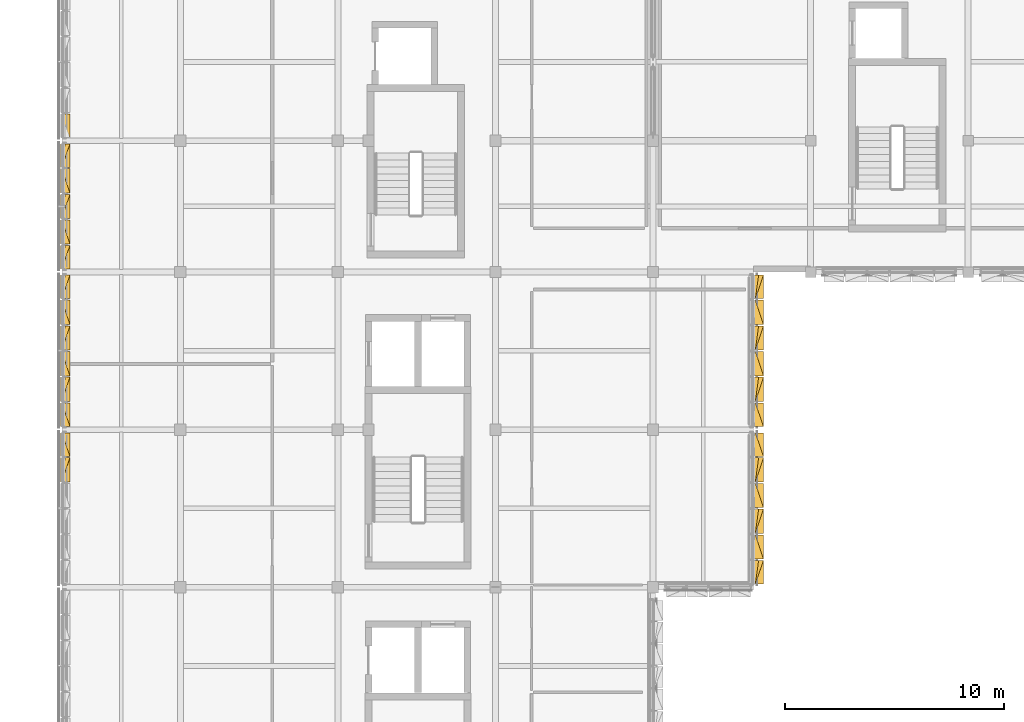
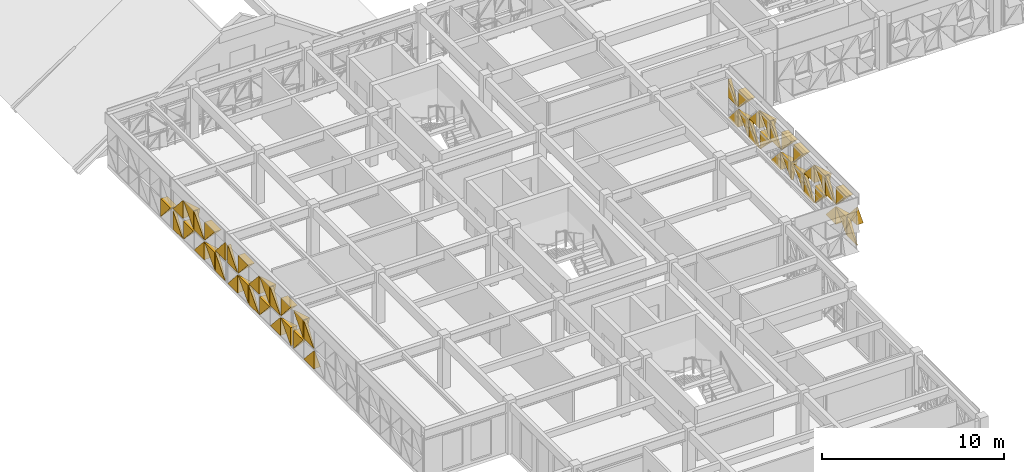
# One storey, part 44 of 48: 51 coverings.
"""IFC4 building model written with IfcOpenShell, lengths in metres."""

from ifc_helpers import new_model, si_unit, direction, frame, origin, place, context, subcontext, project, spatial, polygons, material, layer, layer_set, type_object, element, save


model = new_model("IFC4")

# Units and contexts
model_context = context("Model", 3, precision=1e-05, world=origin(), true_north=direction((0.0, 1.0)))
body_context = subcontext(model_context, "Body", "Model", "MODEL_VIEW")
ifc_project = project(units=[si_unit("LENGTHUNIT", "METRE"), si_unit("AREAUNIT", "SQUARE_METRE"), si_unit("VOLUMEUNIT", "CUBIC_METRE"), si_unit("PLANEANGLEUNIT", "RADIAN"), si_unit("MASSUNIT", "GRAM", prefix="KILO")], contexts=[model_context])

# Site, building, storey
site_placement = place(None, origin())
site = spatial("IfcSite", under=ifc_project, at=site_placement, CompositionType="ELEMENT")
building_placement = place(site_placement, origin())
building = spatial("IfcBuilding", under=site, at=building_placement, Name="Alvorim Cloister Faculty of Sciences", CompositionType="ELEMENT")
storey_placement = place(building_placement, frame((0.0, 0.0, 19.35009765625)))
storey = spatial("IfcBuildingStorey", under=building, at=storey_placement, Name="L05", CompositionType="ELEMENT", Elevation=19.35009765625)

# Coverings
ifc_material = material(Name="Perforated Bronze Alloy Sheet", Category="metal")
ifc_layer = layer(ifc_material, 0.0380859375)
ifc_layer_set = layer_set([ifc_layer], Name="Perforated Bronze Alloy Sheet")
covering_type = type_object("IfcCoveringType", Name="COV-TRI-BRZ", PredefinedType="CLADDING", material=ifc_layer_set)
covering_1_placement = place(storey_placement, frame((1.7548828125, 33.605712890625, 0.139892578125), z_axis=(0.0, 0.0, 1.0), x_axis=(0.0, 1.0, 0.0)))
element("IfcCovering", 1, at=covering_1_placement, inside=storey, type_object=covering_type, Name="Diagonal Solid Metal Triangle TRI-BL", PredefinedType="CLADDING", context=body_context, shape_type="Tessellation", body=[
    polygons([(0.0, 0.0260009765625, 0.0), (1.1063984375, 0.0260009765625, 0.0), (0.0, 0.0260009765625, 1.216505859375), (0.0, -0.4, 0.0), (1.1063984375, -0.4, 0.0), (0.0, -0.03, 1.216505859375)], [[[1, 3, 2]], [[4, 5, 6]], [[1, 2, 5, 4]], [[2, 3, 6, 5]], [[3, 1, 4, 6]]], closed=True),
])
covering_2_placement = place(storey_placement, frame((1.7548828125, 33.605712890625, 1.498291015625), z_axis=(0.0, 0.0, 1.0), x_axis=(0.0, 1.0, 0.0)))
element("IfcCovering", 2, at=covering_2_placement, inside=storey, type_object=covering_type, Name="Diagonal Solid Metal Triangle TRI-BR", PredefinedType="CLADDING", context=body_context, shape_type="Tessellation", body=[
    polygons([(0.002, 0.0260009765625, 0.0), (1.1083984375, 0.0260009765625, 0.0), (1.1083984375, 0.0260009765625, 1.216505859375), (0.002, -0.03, 0.0), (1.1083984375, -0.4, 0.0), (1.1083984375, -0.18000000000000002, 1.216505859375)], [[[1, 3, 2]], [[4, 5, 6]], [[1, 2, 5, 4]], [[2, 3, 6, 5]], [[3, 1, 4, 6]]], closed=True),
])
covering_3_placement = place(storey_placement, frame((1.7548828125, 34.779052734375, 0.139892578125), z_axis=(0.0, 0.0, 1.0), x_axis=(0.0, 1.0, 0.0)))
element("IfcCovering", 3, at=covering_3_placement, inside=storey, type_object=covering_type, Name="Diagonal Solid Metal Triangle TRI-TR", PredefinedType="CLADDING", context=body_context, shape_type="Tessellation", body=[
    polygons([(1.075927734375, 0.0260009765625, 0.002), (1.075927734375, 0.0260009765625, 1.218505859375), (0.002, 0.0260009765625, 1.218505859375), (1.075927734375, -0.03, 0.002), (1.075927734375, -0.4, 1.218505859375), (0.002, -0.4, 1.218505859375)], [[[1, 3, 2]], [[4, 5, 6]], [[1, 2, 5, 4]], [[2, 3, 6, 5]], [[3, 1, 4, 6]]], closed=True),
])
for number, where, z_axis, x_axis, name in (
    (4, (1.7548828125, 34.779052734375, 1.498291015625), (0.0, 0.0, 1.0), (0.0, 1.0, 0.0), "Diagonal Solid Metal Triangle TRI-TL"),
    (5, (1.7548828125, 36.14501953125, 0.139892578125), (0.0, 0.0, 1.0), (0.0, 1.0, 0.0), "Diagonal Solid Metal Triangle TRI-TL"),
):
    element("IfcCovering", number, at=place(storey_placement, frame(where, z_axis=z_axis, x_axis=x_axis)), inside=storey, type_object=covering_type, Name=name, PredefinedType="CLADDING", context=body_context, shape_type="Tessellation", body=[
        polygons([(1.073927734375, 0.0260009765625, 1.218505859375), (0.0, 0.0260009765625, 1.218505859375), (0.0, 0.0260009765625, 0.002), (1.073927734375, -0.03, 1.218505859375), (0.0, -0.4, 1.218505859375), (0.0, -0.13999999999999999, 0.002)], [[[1, 3, 2]], [[4, 5, 6]], [[1, 2, 5, 4]], [[2, 3, 6, 5]], [[3, 1, 4, 6]]], closed=True),
    ])
covering_4_placement = place(storey_placement, frame((1.7548828125, 36.14501953125, 1.498291015625), z_axis=(0.0, 0.0, 1.0), x_axis=(0.0, 1.0, 0.0)))
element("IfcCovering", 6, at=covering_4_placement, inside=storey, type_object=covering_type, Name="Diagonal Solid Metal Triangle TRI-TR", PredefinedType="CLADDING", context=body_context, shape_type="Tessellation", body=[
    polygons([(1.075927734375, 0.0260009765625, 0.002), (1.075927734375, 0.0260009765625, 1.218505859375), (0.002, 0.0260009765625, 1.218505859375), (1.075927734375, -0.03, 0.002), (1.075927734375, -0.4, 1.218505859375), (0.002, -0.4, 1.218505859375)], [[[1, 3, 2]], [[4, 5, 6]], [[1, 2, 5, 4]], [[2, 3, 6, 5]], [[3, 1, 4, 6]]], closed=True),
])
covering_5_placement = place(storey_placement, frame((1.7548828125, 37.285888671875, 0.139892578125), z_axis=(0.0, 0.0, 1.0), x_axis=(0.0, 1.0, 0.0)))
element("IfcCovering", 7, at=covering_5_placement, inside=storey, type_object=covering_type, Name="Diagonal Solid Metal Triangle TRI-BL", PredefinedType="CLADDING", context=body_context, shape_type="Tessellation", body=[
    polygons([(0.0, 0.0260009765625, 0.0), (1.1063984375, 0.0260009765625, 0.0), (0.0, 0.0260009765625, 1.216505859375), (0.0, -0.4, 0.0), (1.1063984375, -0.4, 0.0), (0.0, -0.03, 1.216505859375)], [[[1, 3, 2]], [[4, 5, 6]], [[1, 2, 5, 4]], [[2, 3, 6, 5]], [[3, 1, 4, 6]]], closed=True),
])
covering_6_placement = place(storey_placement, frame((1.7548828125, 37.285888671875, 1.498291015625), z_axis=(0.0, 0.0, 1.0), x_axis=(0.0, 1.0, 0.0)))
element("IfcCovering", 8, at=covering_6_placement, inside=storey, type_object=covering_type, Name="Diagonal Solid Metal Triangle TRI-BR", PredefinedType="CLADDING", context=body_context, shape_type="Tessellation", body=[
    polygons([(0.002, 0.0260009765625, 0.0), (1.1083984375, 0.0260009765625, 0.0), (1.1083984375, 0.0260009765625, 1.216505859375), (0.002, -0.03, 0.0), (1.1083984375, -0.4, 0.0), (1.1083984375, -0.18000000000000002, 1.216505859375)], [[[1, 3, 2]], [[4, 5, 6]], [[1, 2, 5, 4]], [[2, 3, 6, 5]], [[3, 1, 4, 6]]], closed=True),
])
covering_7_placement = place(storey_placement, frame((1.7548828125, 38.459228515625, 0.139892578125), z_axis=(0.0, 0.0, 1.0), x_axis=(0.0, 1.0, 0.0)))
element("IfcCovering", 9, at=covering_7_placement, inside=storey, type_object=covering_type, Name="Diagonal Solid Metal Triangle TRI-TR", PredefinedType="CLADDING", context=body_context, shape_type="Tessellation", body=[
    polygons([(1.1083984375, 0.0260009765625, 0.002), (1.1083984375, 0.0260009765625, 1.218505859375), (0.002, 0.0260009765625, 1.218505859375), (1.1083984375, -0.03, 0.002), (1.1083984375, -0.4, 1.218505859375), (0.002, -0.4, 1.218505859375)], [[[1, 3, 2]], [[4, 5, 6]], [[1, 2, 5, 4]], [[2, 3, 6, 5]], [[3, 1, 4, 6]]], closed=True),
])
covering_8_placement = place(storey_placement, frame((1.7548828125, 38.459228515625, 1.498291015625), z_axis=(0.0, 0.0, 1.0), x_axis=(0.0, 1.0, 0.0)))
element("IfcCovering", 10, at=covering_8_placement, inside=storey, type_object=covering_type, Name="Diagonal Solid Metal Triangle TRI-TL", PredefinedType="CLADDING", context=body_context, shape_type="Tessellation", body=[
    polygons([(1.1063984375, 0.0260009765625, 1.218505859375), (0.0, 0.0260009765625, 1.218505859375), (0.0, 0.0260009765625, 0.002), (1.1063984375, -0.03, 1.218505859375), (0.0, -0.4, 1.218505859375), (0.0, -0.13999999999999999, 0.002)], [[[1, 3, 2]], [[4, 5, 6]], [[1, 2, 5, 4]], [[2, 3, 6, 5]], [[3, 1, 4, 6]]], closed=True),
])
covering_9_placement = place(storey_placement, frame((1.7548828125, 39.632568359375, 0.139892578125), z_axis=(0.0, 0.0, 1.0), x_axis=(0.0, 1.0, 0.0)))
element("IfcCovering", 11, at=covering_9_placement, inside=storey, type_object=covering_type, Name="Diagonal Solid Metal Triangle TRI-BR", PredefinedType="CLADDING", context=body_context, shape_type="Tessellation", body=[
    polygons([(0.002, 0.0260009765625, 0.0), (1.1083984375, 0.0260009765625, 0.0), (1.1083984375, 0.0260009765625, 1.216505859375), (0.002, -0.03, 0.0), (1.1083984375, -0.4, 0.0), (1.1083984375, -0.18000000000000002, 1.216505859375)], [[[1, 3, 2]], [[4, 5, 6]], [[1, 2, 5, 4]], [[2, 3, 6, 5]], [[3, 1, 4, 6]]], closed=True),
])
covering_10_placement = place(storey_placement, frame((1.7548828125, 39.632568359375, 1.498291015625), z_axis=(0.0, 0.0, 1.0), x_axis=(0.0, 1.0, 0.0)))
element("IfcCovering", 12, at=covering_10_placement, inside=storey, type_object=covering_type, Name="Diagonal Solid Metal Triangle TRI-BL", PredefinedType="CLADDING", context=body_context, shape_type="Tessellation", body=[
    polygons([(0.0, 0.0260009765625, 0.0), (1.1063984375, 0.0260009765625, 0.0), (0.0, 0.0260009765625, 1.216505859375), (0.0, -0.4, 0.0), (1.1063984375, -0.4, 0.0), (0.0, -0.03, 1.216505859375)], [[[1, 3, 2]], [[4, 5, 6]], [[1, 2, 5, 4]], [[2, 3, 6, 5]], [[3, 1, 4, 6]]], closed=True),
])
covering_11_placement = place(storey_placement, frame((1.7548828125, 40.805908203125, 0.139892578125), z_axis=(0.0, 0.0, 1.0), x_axis=(0.0, 1.0, 0.0)))
element("IfcCovering", 13, at=covering_11_placement, inside=storey, type_object=covering_type, Name="Diagonal Solid Metal Triangle TRI-TL", PredefinedType="CLADDING", context=body_context, shape_type="Tessellation", body=[
    polygons([(1.1063984375, 0.0260009765625, 1.218505859375), (0.0, 0.0260009765625, 1.218505859375), (0.0, 0.0260009765625, 0.002), (1.1063984375, -0.03, 1.218505859375), (0.0, -0.4, 1.218505859375), (0.0, -0.13999999999999999, 0.002)], [[[1, 3, 2]], [[4, 5, 6]], [[1, 2, 5, 4]], [[2, 3, 6, 5]], [[3, 1, 4, 6]]], closed=True),
])
covering_12_placement = place(storey_placement, frame((1.7548828125, 40.805908203125, 1.498291015625), z_axis=(0.0, 0.0, 1.0), x_axis=(0.0, 1.0, 0.0)))
element("IfcCovering", 14, at=covering_12_placement, inside=storey, type_object=covering_type, Name="Diagonal Solid Metal Triangle TRI-TR", PredefinedType="CLADDING", context=body_context, shape_type="Tessellation", body=[
    polygons([(1.1083984375, 0.0260009765625, 0.002), (1.1083984375, 0.0260009765625, 1.218505859375), (0.002, 0.0260009765625, 1.218505859375), (1.1083984375, -0.03, 0.002), (1.1083984375, -0.4, 1.218505859375), (0.002, -0.4, 1.218505859375)], [[[1, 3, 2]], [[4, 5, 6]], [[1, 2, 5, 4]], [[2, 3, 6, 5]], [[3, 1, 4, 6]]], closed=True),
])
covering_13_placement = place(storey_placement, frame((1.7548828125, 41.979248046875, 0.139892578125), z_axis=(0.0, 0.0, 1.0), x_axis=(0.0, 1.0, 0.0)))
element("IfcCovering", 15, at=covering_13_placement, inside=storey, type_object=covering_type, Name="Diagonal Solid Metal Triangle TRI-BL", PredefinedType="CLADDING", context=body_context, shape_type="Tessellation", body=[
    polygons([(0.0, 0.0260009765625, 0.0), (1.073927734375, 0.0260009765625, 0.0), (0.0, 0.0260009765625, 1.216505859375), (0.0, -0.4, 0.0), (1.073927734375, -0.4, 0.0), (0.0, -0.03, 1.216505859375)], [[[1, 3, 2]], [[4, 5, 6]], [[1, 2, 5, 4]], [[2, 3, 6, 5]], [[3, 1, 4, 6]]], closed=True),
])
covering_14_placement = place(storey_placement, frame((1.7548828125, 41.979248046875, 1.498291015625), z_axis=(0.0, 0.0, 1.0), x_axis=(0.0, 1.0, 0.0)))
element("IfcCovering", 16, at=covering_14_placement, inside=storey, type_object=covering_type, Name="Diagonal Solid Metal Triangle TRI-BR", PredefinedType="CLADDING", context=body_context, shape_type="Tessellation", body=[
    polygons([(0.002, 0.0260009765625, 0.0), (1.075927734375, 0.0260009765625, 0.0), (1.075927734375, 0.0260009765625, 1.216505859375), (0.002, -0.03, 0.0), (1.075927734375, -0.4, 0.0), (1.075927734375, -0.18000000000000002, 1.216505859375)], [[[1, 3, 2]], [[4, 5, 6]], [[1, 2, 5, 4]], [[2, 3, 6, 5]], [[3, 1, 4, 6]]], closed=True),
])
covering_15_placement = place(storey_placement, frame((1.7548828125, 43.344970703125, 0.139892578125), z_axis=(0.0, 0.0, 1.0), x_axis=(0.0, 1.0, 0.0)))
element("IfcCovering", 17, at=covering_15_placement, inside=storey, type_object=covering_type, Name="Diagonal Solid Metal Triangle TRI-BR", PredefinedType="CLADDING", context=body_context, shape_type="Tessellation", body=[
    polygons([(0.002, 0.0260009765625, 0.0), (1.070556640625, 0.0260009765625, 0.0), (1.070556640625, 0.0260009765625, 1.216505859375), (0.002, -0.03, 0.0), (1.070556640625, -0.4, 0.0), (1.070556640625, -0.18000000000000002, 1.216505859375)], [[[1, 3, 2]], [[4, 5, 6]], [[1, 2, 5, 4]], [[2, 3, 6, 5]], [[3, 1, 4, 6]]], closed=True),
])
covering_16_placement = place(storey_placement, frame((1.7548828125, 43.344970703125, 1.498291015625), z_axis=(0.0, 0.0, 1.0), x_axis=(0.0, 1.0, 0.0)))
element("IfcCovering", 18, at=covering_16_placement, inside=storey, type_object=covering_type, Name="Diagonal Solid Metal Triangle TRI-BL", PredefinedType="CLADDING", context=body_context, shape_type="Tessellation", body=[
    polygons([(0.0, 0.0260009765625, 0.0), (1.068556640625, 0.0260009765625, 0.0), (0.0, 0.0260009765625, 1.216505859375), (0.0, -0.4, 0.0), (1.068556640625, -0.4, 0.0), (0.0, -0.03, 1.216505859375)], [[[1, 3, 2]], [[4, 5, 6]], [[1, 2, 5, 4]], [[2, 3, 6, 5]], [[3, 1, 4, 6]]], closed=True),
])
covering_17_placement = place(storey_placement, frame((1.7548828125, 44.48046875, 0.139892578125), z_axis=(0.0, 0.0, 1.0), x_axis=(0.0, 1.0, 0.0)))
element("IfcCovering", 19, at=covering_17_placement, inside=storey, type_object=covering_type, Name="Diagonal Solid Metal Triangle TRI-TL", PredefinedType="CLADDING", context=body_context, shape_type="Tessellation", body=[
    polygons([(1.10102734375, 0.0260009765625, 1.218505859375), (0.0, 0.0260009765625, 1.218505859375), (0.0, 0.0260009765625, 0.002), (1.10102734375, -0.03, 1.218505859375), (0.0, -0.4, 1.218505859375), (0.0, -0.13999999999999999, 0.002)], [[[1, 3, 2]], [[4, 5, 6]], [[1, 2, 5, 4]], [[2, 3, 6, 5]], [[3, 1, 4, 6]]], closed=True),
])
covering_18_placement = place(storey_placement, frame((1.7548828125, 44.48046875, 1.498291015625), z_axis=(0.0, 0.0, 1.0), x_axis=(0.0, 1.0, 0.0)))
element("IfcCovering", 20, at=covering_18_placement, inside=storey, type_object=covering_type, Name="Diagonal Solid Metal Triangle TRI-TR", PredefinedType="CLADDING", context=body_context, shape_type="Tessellation", body=[
    polygons([(1.10302734375, 0.0260009765625, 0.002), (1.10302734375, 0.0260009765625, 1.218505859375), (0.002, 0.0260009765625, 1.218505859375), (1.10302734375, -0.03, 0.002), (1.10302734375, -0.4, 1.218505859375), (0.002, -0.4, 1.218505859375)], [[[1, 3, 2]], [[4, 5, 6]], [[1, 2, 5, 4]], [[2, 3, 6, 5]], [[3, 1, 4, 6]]], closed=True),
])
covering_19_placement = place(storey_placement, frame((1.7548828125, 45.6484375, 0.139892578125), z_axis=(0.0, 0.0, 1.0), x_axis=(0.0, 1.0, 0.0)))
element("IfcCovering", 21, at=covering_19_placement, inside=storey, type_object=covering_type, Name="Diagonal Solid Metal Triangle TRI-BL", PredefinedType="CLADDING", context=body_context, shape_type="Tessellation", body=[
    polygons([(0.0, 0.0260009765625, 0.0), (1.10102734375, 0.0260009765625, 0.0), (0.0, 0.0260009765625, 1.216505859375), (0.0, -0.4, 0.0), (1.10102734375, -0.4, 0.0), (0.0, -0.03, 1.216505859375)], [[[1, 3, 2]], [[4, 5, 6]], [[1, 2, 5, 4]], [[2, 3, 6, 5]], [[3, 1, 4, 6]]], closed=True),
])
covering_20_placement = place(storey_placement, frame((1.7548828125, 45.6484375, 1.498291015625), z_axis=(0.0, 0.0, 1.0), x_axis=(0.0, 1.0, 0.0)))
element("IfcCovering", 22, at=covering_20_placement, inside=storey, type_object=covering_type, Name="Diagonal Solid Metal Triangle TRI-BR", PredefinedType="CLADDING", context=body_context, shape_type="Tessellation", body=[
    polygons([(0.002, 0.0260009765625, 0.0), (1.10302734375, 0.0260009765625, 0.0), (1.10302734375, 0.0260009765625, 1.216505859375), (0.002, -0.03, 0.0), (1.10302734375, -0.4, 0.0), (1.10302734375, -0.18000000000000002, 1.216505859375)], [[[1, 3, 2]], [[4, 5, 6]], [[1, 2, 5, 4]], [[2, 3, 6, 5]], [[3, 1, 4, 6]]], closed=True),
])
covering_21_placement = place(storey_placement, frame((1.7548828125, 46.81640625, 0.139892578125), z_axis=(0.0, 0.0, 1.0), x_axis=(0.0, 1.0, 0.0)))
element("IfcCovering", 23, at=covering_21_placement, inside=storey, type_object=covering_type, Name="Diagonal Solid Metal Triangle TRI-TR", PredefinedType="CLADDING", context=body_context, shape_type="Tessellation", body=[
    polygons([(1.10302734375, 0.0260009765625, 0.002), (1.10302734375, 0.0260009765625, 1.218505859375), (0.002, 0.0260009765625, 1.218505859375), (1.10302734375, -0.03, 0.002), (1.10302734375, -0.4, 1.218505859375), (0.002, -0.4, 1.218505859375)], [[[1, 3, 2]], [[4, 5, 6]], [[1, 2, 5, 4]], [[2, 3, 6, 5]], [[3, 1, 4, 6]]], closed=True),
])
covering_22_placement = place(storey_placement, frame((1.7548828125, 46.81640625, 1.498291015625), z_axis=(0.0, 0.0, 1.0), x_axis=(0.0, 1.0, 0.0)))
element("IfcCovering", 24, at=covering_22_placement, inside=storey, type_object=covering_type, Name="Diagonal Solid Metal Triangle TRI-TL", PredefinedType="CLADDING", context=body_context, shape_type="Tessellation", body=[
    polygons([(1.10102734375, 0.0260009765625, 1.218505859375), (0.0, 0.0260009765625, 1.218505859375), (0.0, 0.0260009765625, 0.002), (1.10102734375, -0.03, 1.218505859375), (0.0, -0.4, 1.218505859375), (0.0, -0.13999999999999999, 0.002)], [[[1, 3, 2]], [[4, 5, 6]], [[1, 2, 5, 4]], [[2, 3, 6, 5]], [[3, 1, 4, 6]]], closed=True),
])
covering_23_placement = place(storey_placement, frame((1.7548828125, 47.984619140625, 0.139892578125), z_axis=(0.0, 0.0, 1.0), x_axis=(0.0, 1.0, 0.0)))
element("IfcCovering", 25, at=covering_23_placement, inside=storey, type_object=covering_type, Name="Diagonal Solid Metal Triangle TRI-BR", PredefinedType="CLADDING", context=body_context, shape_type="Tessellation", body=[
    polygons([(0.002, 0.0260009765625, 0.0), (1.070556640625, 0.0260009765625, 0.0), (1.070556640625, 0.0260009765625, 1.216505859375), (0.002, -0.03, 0.0), (1.070556640625, -0.4, 0.0), (1.070556640625, -0.18000000000000002, 1.216505859375)], [[[1, 3, 2]], [[4, 5, 6]], [[1, 2, 5, 4]], [[2, 3, 6, 5]], [[3, 1, 4, 6]]], closed=True),
])
covering_24_placement = place(storey_placement, frame((1.7548828125, 47.984619140625, 1.498291015625), z_axis=(0.0, 0.0, 1.0), x_axis=(0.0, 1.0, 0.0)))
element("IfcCovering", 26, at=covering_24_placement, inside=storey, type_object=covering_type, Name="Diagonal Solid Metal Triangle TRI-BL", PredefinedType="CLADDING", context=body_context, shape_type="Tessellation", body=[
    polygons([(0.0, 0.0260009765625, 0.0), (1.068556640625, 0.0260009765625, 0.0), (0.0, 0.0260009765625, 1.216505859375), (0.0, -0.4, 0.0), (1.068556640625, -0.4, 0.0), (0.0, -0.03, 1.216505859375)], [[[1, 3, 2]], [[4, 5, 6]], [[1, 2, 5, 4]], [[2, 3, 6, 5]], [[3, 1, 4, 6]]], closed=True),
])
covering_25_placement = place(storey_placement, frame((1.7548828125, 49.344970703125, 0.139892578125), z_axis=(0.0, 0.0, 1.0), x_axis=(0.0, 1.0, 0.0)))
element("IfcCovering", 27, at=covering_25_placement, inside=storey, type_object=covering_type, Name="Diagonal Solid Metal Triangle TRI-TR", PredefinedType="CLADDING", context=body_context, shape_type="Tessellation", body=[
    polygons([(1.075927734375, 0.0260009765625, 0.002), (1.075927734375, 0.0260009765625, 1.218505859375), (0.002, 0.0260009765625, 1.218505859375), (1.075927734375, -0.03, 0.002), (1.075927734375, -0.4, 1.218505859375), (0.002, -0.4, 1.218505859375)], [[[1, 3, 2]], [[4, 5, 6]], [[1, 2, 5, 4]], [[2, 3, 6, 5]], [[3, 1, 4, 6]]], closed=True),
])
covering_26_placement = place(storey_placement, frame((33.445068359375, 36.14501953125, 0.139892578125), z_axis=(0.0, 0.0, 1.0), x_axis=(0.0, 1.0, 0.0)))
element("IfcCovering", 28, at=covering_26_placement, inside=storey, type_object=covering_type, Name="Diagonal Solid Metal Triangle TRI-TL", PredefinedType="CLADDING", context=body_context, shape_type="Tessellation", body=[
    polygons([(1.073927734375, 0.0260009765625, 1.218505859375), (0.0, 0.0260009765625, 1.218505859375), (0.0, 0.0260009765625, 0.002), (1.073927734375, -0.03, 1.218505859375), (0.0, -0.4, 1.218505859375), (0.0, -0.13999999999999999, 0.002)], [[[1, 3, 2]], [[4, 5, 6]], [[1, 2, 5, 4]], [[2, 3, 6, 5]], [[3, 1, 4, 6]]], closed=True),
])
covering_27_placement = place(storey_placement, frame((33.445068359375, 36.14501953125, 1.498291015625), z_axis=(0.0, 0.0, 1.0), x_axis=(0.0, 1.0, 0.0)))
element("IfcCovering", 29, at=covering_27_placement, inside=storey, type_object=covering_type, Name="Diagonal Solid Metal Triangle TRI-TR", PredefinedType="CLADDING", context=body_context, shape_type="Tessellation", body=[
    polygons([(1.075927734375, 0.0260009765625, 0.002), (1.075927734375, 0.0260009765625, 1.218505859375), (0.002, 0.0260009765625, 1.218505859375), (1.075927734375, -0.03, 0.002), (1.075927734375, -0.4, 1.218505859375), (0.002, -0.4, 1.218505859375)], [[[1, 3, 2]], [[4, 5, 6]], [[1, 2, 5, 4]], [[2, 3, 6, 5]], [[3, 1, 4, 6]]], closed=True),
])
covering_28_placement = place(storey_placement, frame((33.445068359375, 37.285888671875, 0.139892578125), z_axis=(0.0, 0.0, 1.0), x_axis=(0.0, 1.0, 0.0)))
element("IfcCovering", 30, at=covering_28_placement, inside=storey, type_object=covering_type, Name="Diagonal Solid Metal Triangle TRI-BL", PredefinedType="CLADDING", context=body_context, shape_type="Tessellation", body=[
    polygons([(0.0, 0.0260009765625, 0.0), (1.1063984375, 0.0260009765625, 0.0), (0.0, 0.0260009765625, 1.216505859375), (0.0, -0.4, 0.0), (1.1063984375, -0.4, 0.0), (0.0, -0.03, 1.216505859375)], [[[1, 3, 2]], [[4, 5, 6]], [[1, 2, 5, 4]], [[2, 3, 6, 5]], [[3, 1, 4, 6]]], closed=True),
])
covering_29_placement = place(storey_placement, frame((33.445068359375, 37.285888671875, 1.498291015625), z_axis=(0.0, 0.0, 1.0), x_axis=(0.0, 1.0, 0.0)))
element("IfcCovering", 31, at=covering_29_placement, inside=storey, type_object=covering_type, Name="Diagonal Solid Metal Triangle TRI-BR", PredefinedType="CLADDING", context=body_context, shape_type="Tessellation", body=[
    polygons([(0.002, 0.0260009765625, 0.0), (1.1083984375, 0.0260009765625, 0.0), (1.1083984375, 0.0260009765625, 1.216505859375), (0.002, -0.03, 0.0), (1.1083984375, -0.4, 0.0), (1.1083984375, -0.18000000000000002, 1.216505859375)], [[[1, 3, 2]], [[4, 5, 6]], [[1, 2, 5, 4]], [[2, 3, 6, 5]], [[3, 1, 4, 6]]], closed=True),
])
covering_30_placement = place(storey_placement, frame((33.445068359375, 38.459228515625, 0.139892578125), z_axis=(0.0, 0.0, 1.0), x_axis=(0.0, 1.0, 0.0)))
element("IfcCovering", 32, at=covering_30_placement, inside=storey, type_object=covering_type, Name="Diagonal Solid Metal Triangle TRI-TR", PredefinedType="CLADDING", context=body_context, shape_type="Tessellation", body=[
    polygons([(1.1083984375, 0.0260009765625, 0.002), (1.1083984375, 0.0260009765625, 1.218505859375), (0.002, 0.0260009765625, 1.218505859375), (1.1083984375, -0.03, 0.002), (1.1083984375, -0.4, 1.218505859375), (0.002, -0.4, 1.218505859375)], [[[1, 3, 2]], [[4, 5, 6]], [[1, 2, 5, 4]], [[2, 3, 6, 5]], [[3, 1, 4, 6]]], closed=True),
])
covering_31_placement = place(storey_placement, frame((33.445068359375, 38.459228515625, 1.498291015625), z_axis=(0.0, 0.0, 1.0), x_axis=(0.0, 1.0, 0.0)))
element("IfcCovering", 33, at=covering_31_placement, inside=storey, type_object=covering_type, Name="Diagonal Solid Metal Triangle TRI-TL", PredefinedType="CLADDING", context=body_context, shape_type="Tessellation", body=[
    polygons([(1.1063984375, 0.0260009765625, 1.218505859375), (0.0, 0.0260009765625, 1.218505859375), (0.0, 0.0260009765625, 0.002), (1.1063984375, -0.03, 1.218505859375), (0.0, -0.4, 1.218505859375), (0.0, -0.13999999999999999, 0.002)], [[[1, 3, 2]], [[4, 5, 6]], [[1, 2, 5, 4]], [[2, 3, 6, 5]], [[3, 1, 4, 6]]], closed=True),
])
covering_32_placement = place(storey_placement, frame((33.445068359375, 39.632568359375, 0.139892578125), z_axis=(0.0, 0.0, 1.0), x_axis=(0.0, 1.0, 0.0)))
element("IfcCovering", 34, at=covering_32_placement, inside=storey, type_object=covering_type, Name="Diagonal Solid Metal Triangle TRI-BR", PredefinedType="CLADDING", context=body_context, shape_type="Tessellation", body=[
    polygons([(0.002, 0.0260009765625, 0.0), (1.1083984375, 0.0260009765625, 0.0), (1.1083984375, 0.0260009765625, 1.216505859375), (0.002, -0.03, 0.0), (1.1083984375, -0.4, 0.0), (1.1083984375, -0.18000000000000002, 1.216505859375)], [[[1, 3, 2]], [[4, 5, 6]], [[1, 2, 5, 4]], [[2, 3, 6, 5]], [[3, 1, 4, 6]]], closed=True),
])
covering_33_placement = place(storey_placement, frame((33.445068359375, 39.632568359375, 1.498291015625), z_axis=(0.0, 0.0, 1.0), x_axis=(0.0, 1.0, 0.0)))
element("IfcCovering", 35, at=covering_33_placement, inside=storey, type_object=covering_type, Name="Diagonal Solid Metal Triangle TRI-BL", PredefinedType="CLADDING", context=body_context, shape_type="Tessellation", body=[
    polygons([(0.0, 0.0260009765625, 0.0), (1.1063984375, 0.0260009765625, 0.0), (0.0, 0.0260009765625, 1.216505859375), (0.0, -0.4, 0.0), (1.1063984375, -0.4, 0.0), (0.0, -0.03, 1.216505859375)], [[[1, 3, 2]], [[4, 5, 6]], [[1, 2, 5, 4]], [[2, 3, 6, 5]], [[3, 1, 4, 6]]], closed=True),
])
covering_34_placement = place(storey_placement, frame((33.445068359375, 40.805908203125, 0.139892578125), z_axis=(0.0, 0.0, 1.0), x_axis=(0.0, 1.0, 0.0)))
element("IfcCovering", 36, at=covering_34_placement, inside=storey, type_object=covering_type, Name="Diagonal Solid Metal Triangle TRI-TL", PredefinedType="CLADDING", context=body_context, shape_type="Tessellation", body=[
    polygons([(1.1063984375, 0.0260009765625, 1.218505859375), (0.0, 0.0260009765625, 1.218505859375), (0.0, 0.0260009765625, 0.002), (1.1063984375, -0.03, 1.218505859375), (0.0, -0.4, 1.218505859375), (0.0, -0.13999999999999999, 0.002)], [[[1, 3, 2]], [[4, 5, 6]], [[1, 2, 5, 4]], [[2, 3, 6, 5]], [[3, 1, 4, 6]]], closed=True),
])
covering_35_placement = place(storey_placement, frame((33.445068359375, 40.805908203125, 1.498291015625), z_axis=(0.0, 0.0, 1.0), x_axis=(0.0, 1.0, 0.0)))
element("IfcCovering", 37, at=covering_35_placement, inside=storey, type_object=covering_type, Name="Diagonal Solid Metal Triangle TRI-TR", PredefinedType="CLADDING", context=body_context, shape_type="Tessellation", body=[
    polygons([(1.1083984375, 0.0260009765625, 0.002), (1.1083984375, 0.0260009765625, 1.218505859375), (0.002, 0.0260009765625, 1.218505859375), (1.1083984375, -0.03, 0.002), (1.1083984375, -0.4, 1.218505859375), (0.002, -0.4, 1.218505859375)], [[[1, 3, 2]], [[4, 5, 6]], [[1, 2, 5, 4]], [[2, 3, 6, 5]], [[3, 1, 4, 6]]], closed=True),
])
covering_36_placement = place(storey_placement, frame((33.445068359375, 41.979248046875, 0.139892578125), z_axis=(0.0, 0.0, 1.0), x_axis=(0.0, 1.0, 0.0)))
element("IfcCovering", 38, at=covering_36_placement, inside=storey, type_object=covering_type, Name="Diagonal Solid Metal Triangle TRI-BL", PredefinedType="CLADDING", context=body_context, shape_type="Tessellation", body=[
    polygons([(0.0, 0.0260009765625, 0.0), (1.073927734375, 0.0260009765625, 0.0), (0.0, 0.0260009765625, 1.216505859375), (0.0, -0.4, 0.0), (1.073927734375, -0.4, 0.0), (0.0, -0.03, 1.216505859375)], [[[1, 3, 2]], [[4, 5, 6]], [[1, 2, 5, 4]], [[2, 3, 6, 5]], [[3, 1, 4, 6]]], closed=True),
])
for number, where, z_axis, x_axis, name in (
    (39, (33.445068359375, 41.979248046875, 1.498291015625), (0.0, 0.0, 1.0), (0.0, 1.0, 0.0), "Diagonal Solid Metal Triangle TRI-BR"),
    (40, (33.445068359375, 28.945068359375, 0.139892578125), (0.0, 0.0, 1.0), (0.0, 1.0, 0.0), "Diagonal Solid Metal Triangle TRI-BR"),
):
    element("IfcCovering", number, at=place(storey_placement, frame(where, z_axis=z_axis, x_axis=x_axis)), inside=storey, type_object=covering_type, Name=name, PredefinedType="CLADDING", context=body_context, shape_type="Tessellation", body=[
        polygons([(0.002, 0.0260009765625, 0.0), (1.075927734375, 0.0260009765625, 0.0), (1.075927734375, 0.0260009765625, 1.216505859375), (0.002, -0.03, 0.0), (1.075927734375, -0.4, 0.0), (1.075927734375, -0.18000000000000002, 1.216505859375)], [[[1, 3, 2]], [[4, 5, 6]], [[1, 2, 5, 4]], [[2, 3, 6, 5]], [[3, 1, 4, 6]]], closed=True),
    ])
covering_37_placement = place(storey_placement, frame((33.445068359375, 28.945068359375, 1.498291015625), z_axis=(0.0, 0.0, 1.0), x_axis=(0.0, 1.0, 0.0)))
element("IfcCovering", 41, at=covering_37_placement, inside=storey, type_object=covering_type, Name="Diagonal Solid Metal Triangle TRI-BL", PredefinedType="CLADDING", context=body_context, shape_type="Tessellation", body=[
    polygons([(0.0, 0.0260009765625, 0.0), (1.073927734375, 0.0260009765625, 0.0), (0.0, 0.0260009765625, 1.216505859375), (0.0, -0.4, 0.0), (1.073927734375, -0.4, 0.0), (0.0, -0.03, 1.216505859375)], [[[1, 3, 2]], [[4, 5, 6]], [[1, 2, 5, 4]], [[2, 3, 6, 5]], [[3, 1, 4, 6]]], closed=True),
])
covering_38_placement = place(storey_placement, frame((33.445068359375, 30.0859375, 0.139892578125), z_axis=(0.0, 0.0, 1.0), x_axis=(0.0, 1.0, 0.0)))
element("IfcCovering", 42, at=covering_38_placement, inside=storey, type_object=covering_type, Name="Diagonal Solid Metal Triangle TRI-TL", PredefinedType="CLADDING", context=body_context, shape_type="Tessellation", body=[
    polygons([(1.1063984375, 0.0260009765625, 1.218505859375), (0.0, 0.0260009765625, 1.218505859375), (0.0, 0.0260009765625, 0.002), (1.1063984375, -0.03, 1.218505859375), (0.0, -0.4, 1.218505859375), (0.0, -0.13999999999999999, 0.002)], [[[1, 3, 2]], [[4, 5, 6]], [[1, 2, 5, 4]], [[2, 3, 6, 5]], [[3, 1, 4, 6]]], closed=True),
])
covering_39_placement = place(storey_placement, frame((33.445068359375, 30.0859375, 1.498291015625), z_axis=(0.0, 0.0, 1.0), x_axis=(0.0, 1.0, 0.0)))
element("IfcCovering", 43, at=covering_39_placement, inside=storey, type_object=covering_type, Name="Diagonal Solid Metal Triangle TRI-TR", PredefinedType="CLADDING", context=body_context, shape_type="Tessellation", body=[
    polygons([(1.1083984375, 0.0260009765625, 0.002), (1.1083984375, 0.0260009765625, 1.218505859375), (0.002, 0.0260009765625, 1.218505859375), (1.1083984375, -0.03, 0.002), (1.1083984375, -0.4, 1.218505859375), (0.002, -0.4, 1.218505859375)], [[[1, 3, 2]], [[4, 5, 6]], [[1, 2, 5, 4]], [[2, 3, 6, 5]], [[3, 1, 4, 6]]], closed=True),
])
covering_40_placement = place(storey_placement, frame((33.445068359375, 31.25927734375, 0.139892578125), z_axis=(0.0, 0.0, 1.0), x_axis=(0.0, 1.0, 0.0)))
element("IfcCovering", 44, at=covering_40_placement, inside=storey, type_object=covering_type, Name="Diagonal Solid Metal Triangle TRI-BL", PredefinedType="CLADDING", context=body_context, shape_type="Tessellation", body=[
    polygons([(0.0, 0.0260009765625, 0.0), (1.1063984375, 0.0260009765625, 0.0), (0.0, 0.0260009765625, 1.216505859375), (0.0, -0.4, 0.0), (1.1063984375, -0.4, 0.0), (0.0, -0.03, 1.216505859375)], [[[1, 3, 2]], [[4, 5, 6]], [[1, 2, 5, 4]], [[2, 3, 6, 5]], [[3, 1, 4, 6]]], closed=True),
])
covering_41_placement = place(storey_placement, frame((33.445068359375, 31.25927734375, 1.498291015625), z_axis=(0.0, 0.0, 1.0), x_axis=(0.0, 1.0, 0.0)))
element("IfcCovering", 45, at=covering_41_placement, inside=storey, type_object=covering_type, Name="Diagonal Solid Metal Triangle TRI-BR", PredefinedType="CLADDING", context=body_context, shape_type="Tessellation", body=[
    polygons([(0.002, 0.0260009765625, 0.0), (1.1083984375, 0.0260009765625, 0.0), (1.1083984375, 0.0260009765625, 1.216505859375), (0.002, -0.03, 0.0), (1.1083984375, -0.4, 0.0), (1.1083984375, -0.18000000000000002, 1.216505859375)], [[[1, 3, 2]], [[4, 5, 6]], [[1, 2, 5, 4]], [[2, 3, 6, 5]], [[3, 1, 4, 6]]], closed=True),
])
covering_42_placement = place(storey_placement, frame((33.445068359375, 32.4326171875, 0.139892578125), z_axis=(0.0, 0.0, 1.0), x_axis=(0.0, 1.0, 0.0)))
element("IfcCovering", 46, at=covering_42_placement, inside=storey, type_object=covering_type, Name="Diagonal Solid Metal Triangle TRI-TR", PredefinedType="CLADDING", context=body_context, shape_type="Tessellation", body=[
    polygons([(1.1083984375, 0.0260009765625, 0.002), (1.1083984375, 0.0260009765625, 1.218505859375), (0.002, 0.0260009765625, 1.218505859375), (1.1083984375, -0.03, 0.002), (1.1083984375, -0.4, 1.218505859375), (0.002, -0.4, 1.218505859375)], [[[1, 3, 2]], [[4, 5, 6]], [[1, 2, 5, 4]], [[2, 3, 6, 5]], [[3, 1, 4, 6]]], closed=True),
])
covering_43_placement = place(storey_placement, frame((33.445068359375, 32.4326171875, 1.498291015625), z_axis=(0.0, 0.0, 1.0), x_axis=(0.0, 1.0, 0.0)))
element("IfcCovering", 47, at=covering_43_placement, inside=storey, type_object=covering_type, Name="Diagonal Solid Metal Triangle TRI-TL", PredefinedType="CLADDING", context=body_context, shape_type="Tessellation", body=[
    polygons([(1.1063984375, 0.0260009765625, 1.218505859375), (0.0, 0.0260009765625, 1.218505859375), (0.0, 0.0260009765625, 0.002), (1.1063984375, -0.03, 1.218505859375), (0.0, -0.4, 1.218505859375), (0.0, -0.13999999999999999, 0.002)], [[[1, 3, 2]], [[4, 5, 6]], [[1, 2, 5, 4]], [[2, 3, 6, 5]], [[3, 1, 4, 6]]], closed=True),
])
covering_44_placement = place(storey_placement, frame((33.445068359375, 33.605712890625, 0.139892578125), z_axis=(0.0, 0.0, 1.0), x_axis=(0.0, 1.0, 0.0)))
element("IfcCovering", 48, at=covering_44_placement, inside=storey, type_object=covering_type, Name="Diagonal Solid Metal Triangle TRI-BR", PredefinedType="CLADDING", context=body_context, shape_type="Tessellation", body=[
    polygons([(0.002, 0.0260009765625, 0.0), (1.1083984375, 0.0260009765625, 0.0), (1.1083984375, 0.0260009765625, 1.216505859375), (0.002, -0.03, 0.0), (1.1083984375, -0.4, 0.0), (1.1083984375, -0.18000000000000002, 1.216505859375)], [[[1, 3, 2]], [[4, 5, 6]], [[1, 2, 5, 4]], [[2, 3, 6, 5]], [[3, 1, 4, 6]]], closed=True),
])
covering_45_placement = place(storey_placement, frame((33.445068359375, 33.605712890625, 1.498291015625), z_axis=(0.0, 0.0, 1.0), x_axis=(0.0, 1.0, 0.0)))
element("IfcCovering", 49, at=covering_45_placement, inside=storey, type_object=covering_type, Name="Diagonal Solid Metal Triangle TRI-BL", PredefinedType="CLADDING", context=body_context, shape_type="Tessellation", body=[
    polygons([(0.0, 0.0260009765625, 0.0), (1.1063984375, 0.0260009765625, 0.0), (0.0, 0.0260009765625, 1.216505859375), (0.0, -0.4, 0.0), (1.1063984375, -0.4, 0.0), (0.0, -0.03, 1.216505859375)], [[[1, 3, 2]], [[4, 5, 6]], [[1, 2, 5, 4]], [[2, 3, 6, 5]], [[3, 1, 4, 6]]], closed=True),
])
covering_46_placement = place(storey_placement, frame((33.445068359375, 34.779052734375, 0.139892578125), z_axis=(0.0, 0.0, 1.0), x_axis=(0.0, 1.0, 0.0)))
element("IfcCovering", 50, at=covering_46_placement, inside=storey, type_object=covering_type, Name="Diagonal Solid Metal Triangle TRI-TL", PredefinedType="CLADDING", context=body_context, shape_type="Tessellation", body=[
    polygons([(1.073927734375, 0.0260009765625, 1.218505859375), (0.0, 0.0260009765625, 1.218505859375), (0.0, 0.0260009765625, 0.002), (1.073927734375, -0.03, 1.218505859375), (0.0, -0.4, 1.218505859375), (0.0, -0.13999999999999999, 0.002)], [[[1, 3, 2]], [[4, 5, 6]], [[1, 2, 5, 4]], [[2, 3, 6, 5]], [[3, 1, 4, 6]]], closed=True),
])
covering_47_placement = place(storey_placement, frame((33.445068359375, 34.779052734375, 1.498291015625), z_axis=(0.0, 0.0, 1.0), x_axis=(0.0, 1.0, 0.0)))
element("IfcCovering", 51, at=covering_47_placement, inside=storey, type_object=covering_type, Name="Diagonal Solid Metal Triangle TRI-TR", PredefinedType="CLADDING", context=body_context, shape_type="Tessellation", body=[
    polygons([(1.075927734375, 0.0260009765625, 0.002), (1.075927734375, 0.0260009765625, 1.218505859375), (0.002, 0.0260009765625, 1.218505859375), (1.075927734375, -0.03, 0.002), (1.075927734375, -0.4, 1.218505859375), (0.002, -0.4, 1.218505859375)], [[[1, 3, 2]], [[4, 5, 6]], [[1, 2, 5, 4]], [[2, 3, 6, 5]], [[3, 1, 4, 6]]], closed=True),
])

save(model, "model.ifc")
